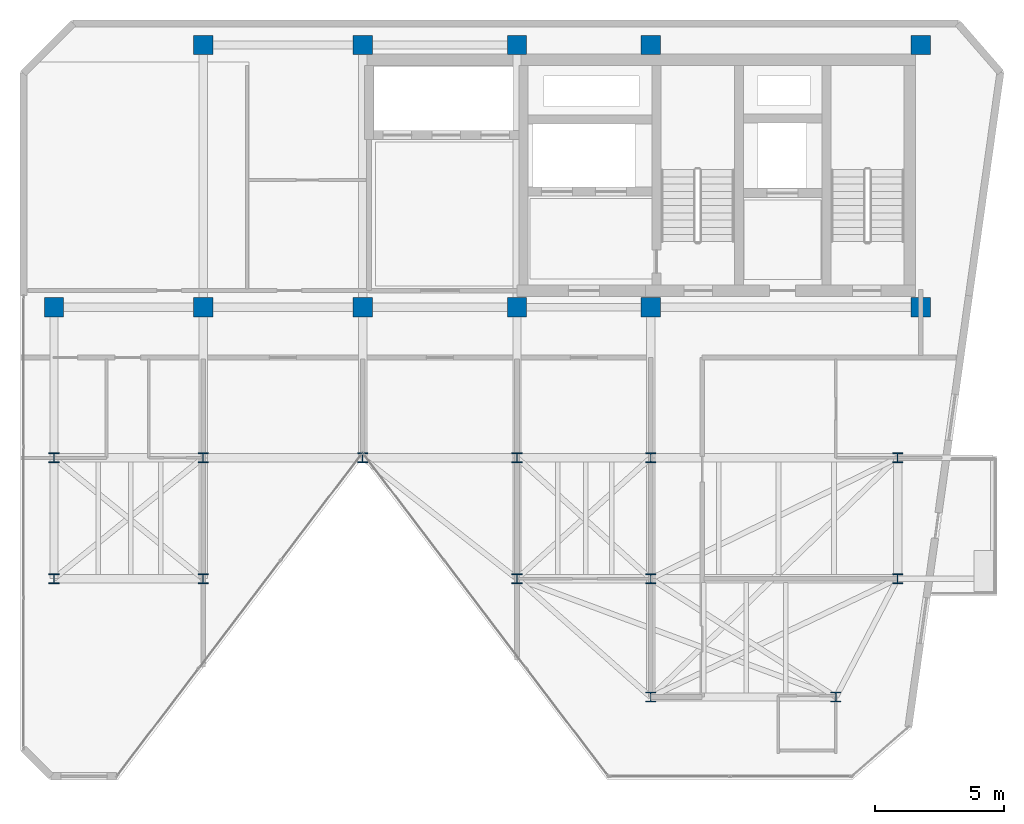
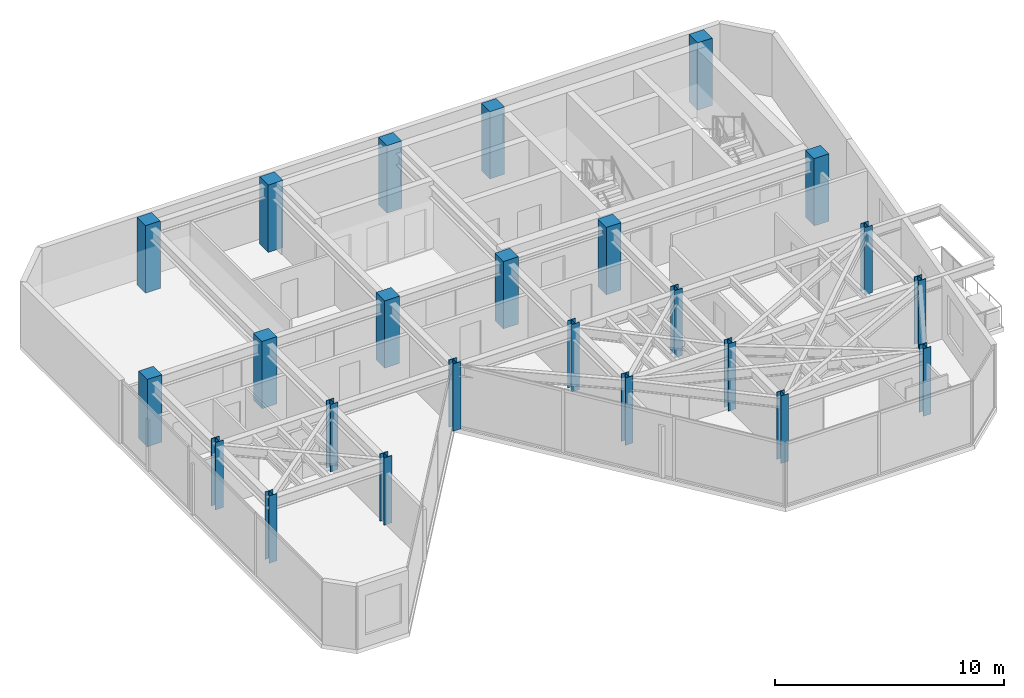
# One storey, part 1 of 17: 24 columns.
"""IFC4 building model written with IfcOpenShell, lengths in metres."""

from ifc_helpers import new_model, si_unit, direction, frame, origin, origin_2d, place, context, subcontext, project, spatial, rectangle, i_section, extrude, material, material_profile, profile_set, type_object, element, save


model = new_model("IFC4")

# Units and contexts
model_context = context("Model", 3, precision=1e-05, world=origin(), true_north=direction((0.0, 1.0)))
body_context = subcontext(model_context, "Body", "Model", "MODEL_VIEW")
ifc_project = project(units=[si_unit("LENGTHUNIT", "METRE"), si_unit("AREAUNIT", "SQUARE_METRE"), si_unit("VOLUMEUNIT", "CUBIC_METRE"), si_unit("PLANEANGLEUNIT", "RADIAN"), si_unit("MASSUNIT", "GRAM", prefix="KILO")], contexts=[model_context])

# Site, building, storey
site_placement = place(None, origin())
site = spatial("IfcSite", under=ifc_project, at=site_placement, CompositionType="ELEMENT")
building_placement = place(site_placement, origin())
building = spatial("IfcBuilding", under=site, at=building_placement, Name="Kravanh Interchange Tower", CompositionType="ELEMENT")
storey_placement = place(building_placement, frame((0.0, 0.0, 285.89990234375)))
storey = spatial("IfcBuildingStorey", under=building, at=storey_placement, Name="L70", CompositionType="ELEMENT", Elevation=285.89990234375)

# Columns
ifc_material_1 = material(Name="Concrete C60/75", Category="concrete")
ifc_material_profile_1 = material_profile(ifc_material_1, rectangle(XDim=0.75, YDim=0.75, at=origin_2d()), Name="RC750X750")
ifc_profile_set_1 = profile_set([ifc_material_profile_1], Name="Concrete C60/75")
column_type_1 = type_object("IfcColumnType", Name="Column RC750X750 Concrete C60/75", PredefinedType="COLUMN", material=ifc_profile_set_1)
for number, where, z_axis, x_axis, name in (
    (1, (66.5, 47.550048828125, 0.0), (0.0, 0.0, 1.0), (1.0, 0.0, 0.0), "L70 Column CS01"),
    (2, (56.0, 47.550048828125, 0.0), (0.0, 0.0, 1.0), (1.0, 0.0, 0.0), "L70 Column CS02"),
    (3, (66.5, 37.35009765625, 0.0), (0.0, 0.0, 1.0), (1.0, 0.0, 0.0), "L70 Column CS03"),
    (4, (56.0, 37.35009765625, 0.0), (0.0, 0.0, 1.0), (1.0, 0.0, 0.0), "L70 Column CS04"),
    (5, (50.800048828125, 47.550048828125, 0.0), (0.0, 0.0, 1.0), (1.0, 0.0, 0.0), "L70 Column CS05"),
    (6, (50.800048828125, 37.35009765625, 0.0), (0.0, 0.0, 1.0), (1.0, 0.0, 0.0), "L70 Column CS06"),
    (7, (44.800048828125, 37.35009765625, 0.0), (0.0, 0.0, 1.0), (1.0, 0.0, 0.0), "L70 Column CS07"),
    (8, (44.800048828125, 47.550048828125, 0.0), (0.0, 0.0, 1.0), (1.0, 0.0, 0.0), "L70 Column CS08"),
    (9, (38.60009765625, 37.35009765625, 0.0), (0.0, 0.0, 1.0), (1.0, 0.0, 0.0), "L70 Column CS09"),
    (10, (38.60009765625, 47.550048828125, 0.0), (0.0, 0.0, 1.0), (1.0, 0.0, 0.0), "L70 Column CS10"),
    (11, (32.800048828125, 37.35009765625, 0.0), (0.0, 0.0, 1.0), (1.0, 0.0, 0.0), "L70 Column CS11"),
):
    element("IfcColumn", number, at=place(storey_placement, frame(where, z_axis=z_axis, x_axis=x_axis)), inside=storey, type_object=column_type_1, Name=name, PredefinedType="COLUMN", context=body_context, shape_type="SweptSolid", body=[
        extrude(rectangle(XDim=0.75, YDim=0.75, at=origin_2d()), origin(), (0.0, 0.0, 1.0), 3.60009765625),
    ])
ifc_material_2 = material(Name="Structural Steel S355", Category="steel")
ifc_material_profile_2 = material_profile(ifc_material_2, i_section(OverallWidth=0.39404296875, OverallDepth=0.3759765625, WebThickness=0.017333984375, FlangeThickness=0.027587890625, FilletRadius=0.030029296875, at=origin_2d()), Name="W14X145")
ifc_profile_set_2 = profile_set([ifc_material_profile_2], Name="Structural Steel S355")
column_type_2 = type_object("IfcColumnType", Name="Column W14X145 Structural Steel S355", PredefinedType="COLUMN", material=ifc_profile_set_2)
for number, where, z_axis, x_axis, name in (
    (12, (44.800048828125, 31.5, 0.0), (0.0, 0.0, 1.0), (1.0, 0.0, 0.0), "L70 Column CH_E1"),
    (13, (50.800048828125, 31.5, 0.0), (0.0, 0.0, 1.0), (1.0, 0.0, 0.0), "L70 Column CH_E2"),
    (14, (56.0, 31.5, 0.0), (0.0, 0.0, 1.0), (1.0, 0.0, 0.0), "L70 Column CH_E3"),
    (15, (65.60009765625, 31.5, 0.0), (0.0, 0.0, 1.0), (1.0, 0.0, 0.0), "L70 Column CH_E4"),
    (16, (38.60009765625, 31.5, 0.0), (0.0, 0.0, 1.0), (1.0, 0.0, 0.0), "L70 Column CH_E5"),
    (17, (32.800048828125, 31.5, 0.0), (0.0, 0.0, 1.0), (1.0, 0.0, 0.0), "L70 Column CH_E6"),
    (18, (38.60009765625, 26.800048828125, 0.0), (0.0, 0.0, 1.0), (1.0, 0.0, 0.0), "L70 Column CH_S1"),
    (19, (50.800048828125, 26.800048828125, 0.0), (0.0, 0.0, 1.0), (1.0, 0.0, 0.0), "L70 Column CH_S2"),
    (20, (56.0, 26.800048828125, 0.0), (0.0, 0.0, 1.0), (1.0, 0.0, 0.0), "L70 Column CH_S3"),
    (21, (65.60009765625, 26.800048828125, 0.0), (0.0, 0.0, 1.0), (1.0, 0.0, 0.0), "L70 Column CH_S4"),
    (22, (56.0, 22.199951171875, 0.0), (0.0, 0.0, 1.0), (1.0, 0.0, 0.0), "L70 Column CH_S5"),
    (23, (63.199951171875, 22.199951171875, 0.0), (0.0, 0.0, 1.0), (1.0, 0.0, 0.0), "L70 Column CH_S6"),
    (24, (32.800048828125, 26.800048828125, 0.0), (0.0, 0.0, 1.0), (1.0, 0.0, 0.0), "L70 Column CH_W3"),
):
    element("IfcColumn", number, at=place(storey_placement, frame(where, z_axis=z_axis, x_axis=x_axis)), inside=storey, type_object=column_type_2, Name=name, PredefinedType="COLUMN", context=body_context, shape_type="SweptSolid", body=[
        extrude(i_section(OverallWidth=0.39404296875, OverallDepth=0.3759765625, WebThickness=0.017333984375, FlangeThickness=0.027587890625, FilletRadius=0.030029296875, at=origin_2d()), origin(), (0.0, 0.0, 1.0), 3.60009765625),
    ])

save(model, "model.ifc")
